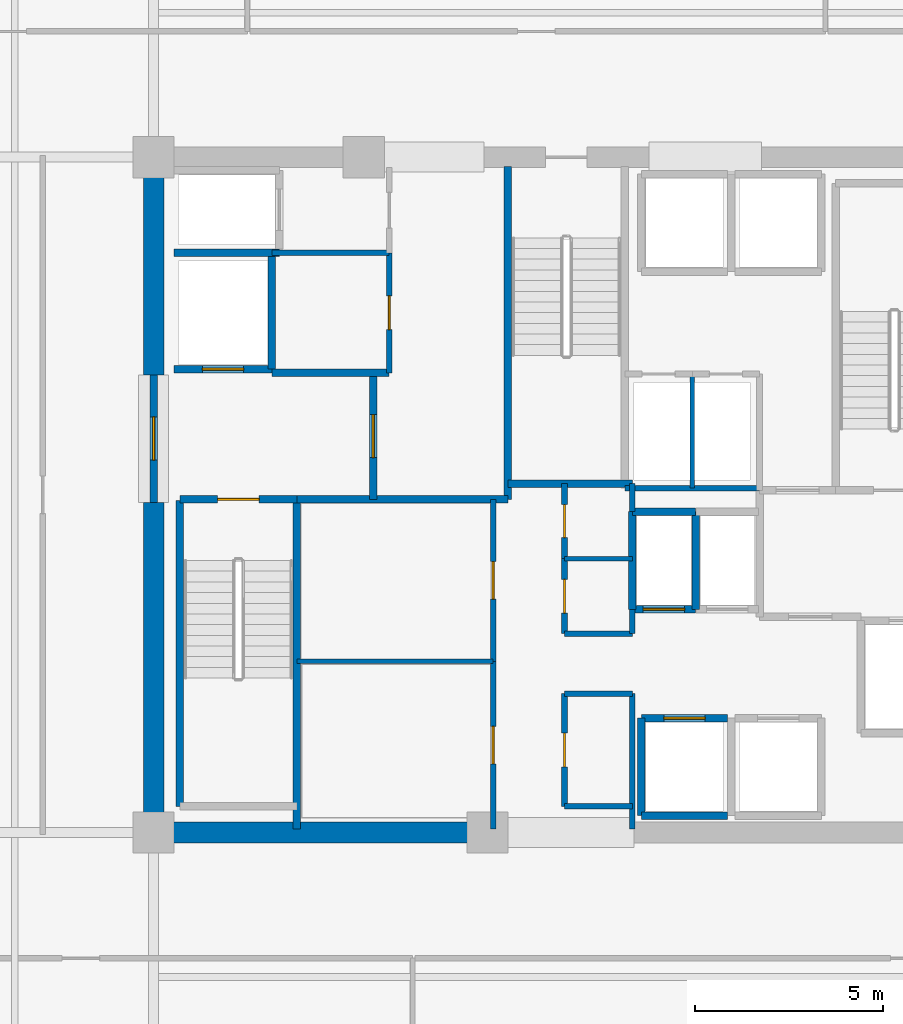
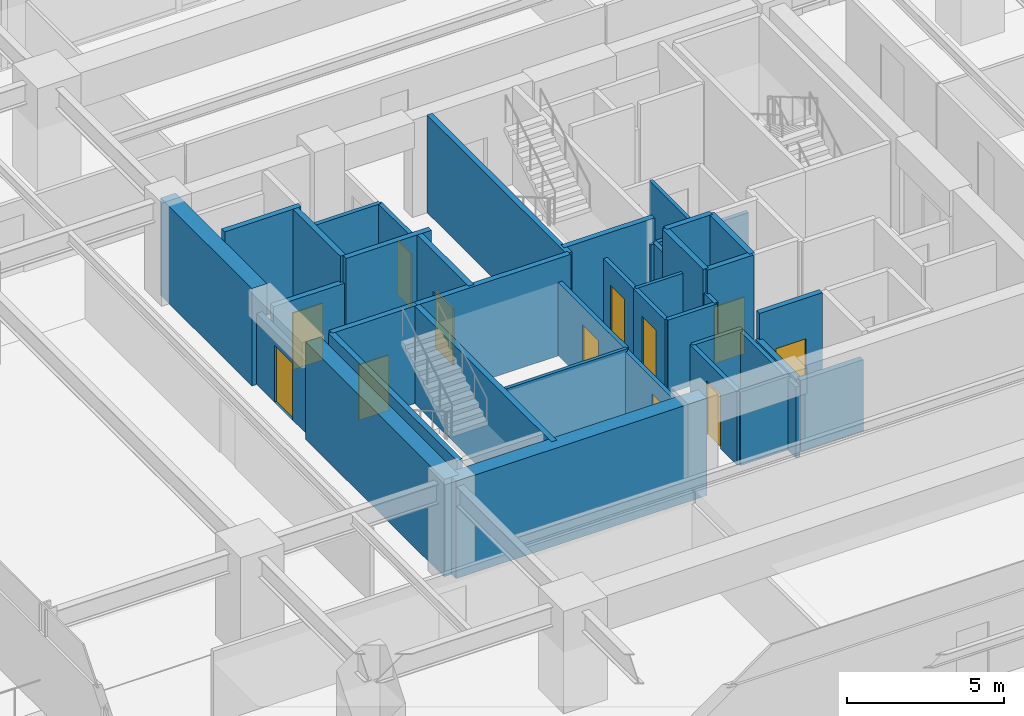
# One storey, part 16 of 24: 39 walls, 12 doors, 12 openings.
"""IFC4 building model written with IfcOpenShell, lengths in metres."""

import ifcopenshell
import ifcopenshell.guid

model = None  # the IFC model being written
_history = None  # IfcOwnerHistory: only IFC2X3 demands one
_inside = {}  # id of a spatial element -> (the spatial element, [elements in it])
_under = {}  # id of a project, library or spatial element -> (it, [spatial elements below it])
_declared = {}  # id of a project -> (the project, [libraries it declares])
_typed = {}  # id of a type object -> (the type object, [elements of that type])
_made_of = {}  # id of a material, layer set ... -> (it, [elements and type objects made of it])


def new_model(schema):
    """Start an empty IFC model of exactly this schema.

    Asked for "IFC4X3", IfcOpenShell would pick the latest addendum, in which some entities
    have other attributes; the version numbers below select the first issue.
    IFC2X3 requires an IfcOwnerHistory on every rooted entity: one is made here for all.
    """
    global model, _history
    if schema == "IFC4X3":
        model = ifcopenshell.file(schema_version=(4, 3, 0, 0))
    else:
        model = ifcopenshell.file(schema=schema)
    _inside.clear()
    _under.clear()
    _declared.clear()
    _typed.clear()
    _made_of.clear()
    _history = None
    if model.schema == "IFC2X3":
        org = make("IfcOrganization", Name="unknown")
        user = make(
            "IfcPersonAndOrganization",
            ThePerson=make("IfcPerson", FamilyName="unknown"),
            TheOrganization=org,
        )
        app = make(
            "IfcApplication",
            ApplicationDeveloper=org,
            Version="unknown",
            ApplicationFullName="unknown",
            ApplicationIdentifier="unknown",
        )
        _history = make(
            "IfcOwnerHistory",
            OwningUser=user,
            OwningApplication=app,
            ChangeAction="ADDED",
            CreationDate=0,
        )
    return model


def make(cls, **values):
    """One entity of the class cls with the attributes given. An attribute that is None is left unset."""
    return model.create_entity(
        cls, **{name: value for name, value in values.items() if value is not None}
    )


def rooted(cls, **values):
    """An entity with a GlobalId (a new one), such as an element, a storey or a relation."""
    return make(cls, GlobalId=ifcopenshell.guid.new(), OwnerHistory=_history, **values)


def si_unit(unit_type, name, prefix=None):
    """IfcSIUnit, for example si_unit("LENGTHUNIT", "METRE", prefix="MILLI")."""
    return make("IfcSIUnit", UnitType=unit_type, Prefix=prefix, Name=name)


def assignment(units):
    """IfcUnitAssignment: the units of a project."""
    return None if units is None else make("IfcUnitAssignment", Units=units)


def point(xyz):
    """IfcCartesianPoint."""
    return None if xyz is None else make("IfcCartesianPoint", Coordinates=xyz)


def direction(xyz):
    """IfcDirection."""
    return None if xyz is None else make("IfcDirection", DirectionRatios=xyz)


def frame(location, z_axis=None, x_axis=None):
    """IfcAxis2Placement3D, a coordinate frame: its origin and axes. An axis left out is left unset."""
    return make(
        "IfcAxis2Placement3D",
        Location=point(location),
        Axis=direction(z_axis),
        RefDirection=direction(x_axis),
    )


def frame_2d(location, x_axis=None):
    """IfcAxis2Placement2D, a coordinate frame in the plane: its origin and x axis."""
    return make(
        "IfcAxis2Placement2D", Location=point(location), RefDirection=direction(x_axis)
    )


def origin():
    """The frame at (0, 0, 0) with its axes left unset."""
    return frame((0.0, 0.0, 0.0))


def place(relative_to, where):
    """IfcLocalPlacement: puts the frame where relative to a parent placement (None: the world)."""
    return make(
        "IfcLocalPlacement", PlacementRelTo=relative_to, RelativePlacement=where
    )


def context(
    kind, dimensions, precision=None, world=None, true_north=None, identifier=None
):
    """IfcGeometricRepresentationContext, for example the 3D "Model" context."""
    return make(
        "IfcGeometricRepresentationContext",
        ContextIdentifier=identifier,
        ContextType=kind,
        CoordinateSpaceDimension=dimensions,
        Precision=precision,
        WorldCoordinateSystem=world,
        TrueNorth=true_north,
    )


def subcontext(parent, identifier, kind, view, scale=None):
    """IfcGeometricRepresentationSubContext, for example "Body" below "Model"."""
    return make(
        "IfcGeometricRepresentationSubContext",
        ContextIdentifier=identifier,
        ContextType=kind,
        ParentContext=parent,
        TargetScale=scale,
        TargetView=view,
    )


def project(units=None, contexts=None):
    """IfcProject with its units and contexts."""
    return rooted(
        "IfcProject",
        Name="project",
        RepresentationContexts=contexts,
        UnitsInContext=assignment(units),
    )


def spatial(cls, under=None, at=None, **own):
    """A site, building, storey or space (cls), placed at a placement, below another one or the project."""
    s = rooted(cls, ObjectPlacement=at, **own)
    if under is not None:
        _under.setdefault(under.id(), (under, []))[1].append(s)
    return s


def profile(cls, at=None, kind="AREA", **sizes):
    """A parametric profile (cls). Its sizes go by their IFC names, for example OverallWidth=200.0."""
    return make(cls, ProfileType=kind, Position=at, **sizes)


def rectangle(**sizes):
    """IfcRectangleProfileDef."""
    return profile("IfcRectangleProfileDef", **sizes)


def extrude(swept, where, along, depth):
    """IfcExtrudedAreaSolid: the profile swept, set in the frame where, extruded along a direction by depth."""
    return make(
        "IfcExtrudedAreaSolid",
        SweptArea=swept,
        Position=where,
        ExtrudedDirection=direction(along),
        Depth=depth,
    )


def shape(context_of_items, identifier, shape_type, items):
    """IfcShapeRepresentation: the items that make up one representation, for example the "Body"."""
    return make(
        "IfcShapeRepresentation",
        ContextOfItems=context_of_items,
        RepresentationIdentifier=identifier,
        RepresentationType=shape_type,
        Items=items,
    )


def material(Name=None, Category=None):
    """IfcMaterial."""
    return make("IfcMaterial", Name=Name, Category=Category)


def layer(
    of_material, thickness, ventilated=None, Name=None, Category=None, Priority=None
):
    """IfcMaterialLayer: one layer of a wall or slab, of a material (None: an air gap)."""
    return make(
        "IfcMaterialLayer",
        Material=of_material,
        LayerThickness=thickness,
        IsVentilated=ventilated,
        Name=Name,
        Category=Category,
        Priority=Priority,
    )


def layer_set(layers, Name=None):
    """IfcMaterialLayerSet."""
    return make("IfcMaterialLayerSet", MaterialLayers=layers, LayerSetName=Name)


def made_of(thing, what):
    """Note that an element or type object is made of a material, layer set ...; save() writes the relation."""
    if what is not None:
        _made_of.setdefault(what.id(), (what, []))[1].append(thing)
    return thing


def type_object(cls, material=None, **own):
    """A type object (cls), such as IfcWallType, which elements share."""
    return made_of(rooted(cls, **own), material)


def element(
    cls,
    number,
    at=None,
    inside=None,
    cuts=None,
    type_object=None,
    material=None,
    context=None,
    identifier="Body",
    shape_type=None,
    held_by="IfcProductDefinitionShape",
    body=None,
    shapes=None,
    **own,
):
    """One element of the class cls, such as IfcWall. Its Tag is "e" and its number.

    at: its placement. inside: the storey or other place that contains it. cuts: it is an
    opening in that element (IfcRelVoidsElement). A single representation is given by context,
    identifier, shape_type and body (its items); several are given by shapes. held_by: the class
    of the entity that holds the representations. save() writes the other relations.
    """
    e = rooted(cls, Tag="e%d" % number, ObjectPlacement=at, **own)
    if body is not None:
        shapes = [shape(context, identifier, shape_type, body)]
    if shapes is not None:
        e.Representation = make(held_by, Representations=shapes)
    if inside is not None:
        _inside.setdefault(inside.id(), (inside, []))[1].append(e)
    if cuts is not None:
        rooted(
            "IfcRelVoidsElement", RelatingBuildingElement=cuts, RelatedOpeningElement=e
        )
    if type_object is not None:
        _typed.setdefault(type_object.id(), (type_object, []))[1].append(e)
    return made_of(e, material)


def fill(opening, filler):
    """IfcRelFillsElement: the door or window that sits in an opening."""
    return rooted(
        "IfcRelFillsElement",
        RelatingOpeningElement=opening,
        RelatedBuildingElement=filler,
    )


def aggregate(whole, parts):
    """IfcRelAggregates: a whole, such as a stair, and the parts it consists of."""
    return rooted("IfcRelAggregates", RelatingObject=whole, RelatedObjects=parts)


def save(model, path):
    """Write the relations noted so far, then the file.

    IfcRelAggregates (storeys below a building ...), IfcRelContainedInSpatialStructure (elements
    in a storey), IfcRelDefinesByType, IfcRelAssociatesMaterial and IfcRelDeclares: one each for
    every whole, place, type object, material and project.
    """
    for whole, parts in _under.values():
        aggregate(whole, parts)
    for where, things in _inside.values():
        rooted(
            "IfcRelContainedInSpatialStructure",
            RelatedElements=things,
            RelatingStructure=where,
        )
    for kind, things in _typed.values():
        rooted("IfcRelDefinesByType", RelatedObjects=things, RelatingType=kind)
    for what, things in _made_of.values():
        rooted("IfcRelAssociatesMaterial", RelatedObjects=things, RelatingMaterial=what)
    for by, libraries in _declared.values():
        rooted("IfcRelDeclares", RelatingContext=by, RelatedDefinitions=libraries)
    model.write(path)


model = new_model("IFC4")

# Units and contexts
model_context = context("Model", 3, precision=1e-05, world=origin(), true_north=direction((0.0, 1.0)))
body_context = subcontext(model_context, "Body", "Model", "MODEL_VIEW")
ifc_project = project(units=[si_unit("LENGTHUNIT", "METRE"), si_unit("AREAUNIT", "SQUARE_METRE"), si_unit("VOLUMEUNIT", "CUBIC_METRE"), si_unit("PLANEANGLEUNIT", "RADIAN"), si_unit("MASSUNIT", "GRAM", prefix="KILO")], contexts=[model_context])

# Site, building, storey
site_placement = place(None, origin())
site = spatial("IfcSite", under=ifc_project, at=site_placement, CompositionType="ELEMENT")
building_placement = place(site_placement, origin())
building = spatial("IfcBuilding", under=site, at=building_placement, Name="Kovane Verandah Tower", CompositionType="ELEMENT")
storey_placement = place(building_placement, frame((0.0, 0.0, 144.39990234375)))
storey = spatial("IfcBuildingStorey", under=building, at=storey_placement, Name="L33", CompositionType="ELEMENT", Elevation=144.39990234375)

# Walls
ifc_material_1 = material(Name="Fire-Rated Gypsum Stud Partition", Category="gypsum")
ifc_layer_1 = layer(ifc_material_1, 0.14990234375)
ifc_layer_set_1 = layer_set([ifc_layer_1], Name="Fire-Rated Gypsum Stud Partition")
wall_type_1 = type_object("IfcWallType", Name="WL-COR-150", PredefinedType="PARTITIONING", material=ifc_layer_set_1)
for number, where, z_axis, x_axis, name in (
    (1, (39.949951171875, 19.199951171875, 0.0), (0.0, 0.0, 1.0), (1.0, 0.0, 0.0), "L33 Central Core Strip South Wall"),
    (2, (39.949951171875, 22.199951171875, 0.0), (0.0, 0.0, 1.0), (1.0, 0.0, 0.0), "L33 Core Cross-Passage South Wall"),
    (3, (39.949951171875, 23.800048828125, 0.0), (0.0, 0.0, 1.0), (1.0, 0.0, 0.0), "L33 Core Cross-Passage North Wall"),
):
    element("IfcWall", number, at=place(storey_placement, frame(where, z_axis=z_axis, x_axis=x_axis)), inside=storey, type_object=wall_type_1, Name=name, PredefinedType="PARTITIONING", context=body_context, shape_type="SweptSolid", body=[
        extrude(rectangle(XDim=1.81005859375, YDim=0.14990234375, at=frame_2d((0.905029296875, 0.0))), origin(), (0.0, 0.0, 1.0), 2.85009765625),
    ])
wall_1_placement = place(storey_placement, frame((41.760009765625, 18.60009765625, 0.0), z_axis=(0.0, 0.0, 1.0), x_axis=(0.0, 1.0, 0.0)))
element("IfcWall", 4, at=wall_1_placement, inside=storey, type_object=wall_type_1, Name="L33 Central Core Strip Lower East Wall", PredefinedType="PARTITIONING", context=body_context, shape_type="SweptSolid", body=[
    extrude(rectangle(XDim=3.599853515625, YDim=0.14990234375, at=frame_2d((1.7998046875, 0.0))), origin(), (0.0, 0.0, 1.0), 2.755126953125),
])
wall_2_placement = place(storey_placement, frame((41.760009765625, 23.800048828125, 0.0), z_axis=(0.0, 0.0, 1.0), x_axis=(0.0, 1.0, 0.0)))
element("IfcWall", 5, at=wall_2_placement, inside=storey, type_object=wall_type_1, Name="L33 Central Core Strip Middle East Wall", PredefinedType="PARTITIONING", context=body_context, shape_type="SweptSolid", body=[
    extrude(rectangle(XDim=0.64990234375, YDim=0.14990234375, at=frame_2d((0.324951171875, 0.0))), origin(), (0.0, 0.0, 1.0), 2.85009765625),
])
wall_3_placement = place(storey_placement, frame((41.760009765625, 27.050048828125, 0.0), z_axis=(0.0, 0.0, 1.0), x_axis=(0.0, 1.0, 0.0)))
element("IfcWall", 6, at=wall_3_placement, inside=storey, type_object=wall_type_1, Name="L33 Central Core Strip Upper East Wall", PredefinedType="PARTITIONING", context=body_context, shape_type="SweptSolid", body=[
    extrude(rectangle(XDim=0.75, YDim=0.14990234375, at=frame_2d((0.375, 0.0))), origin(), (0.0, 0.0, 1.0), 2.85009765625),
])

# Wall, opening, door
wall_4_placement = place(storey_placement, frame((39.949951171875, 19.199951171875, 0.0), z_axis=(0.0, 0.0, 1.0), x_axis=(0.0, 1.0, 0.0)))
wall_4 = element("IfcWall", 7, at=wall_4_placement, inside=storey, type_object=wall_type_1, Name="L33 Male Toilet Partition", PredefinedType="PARTITIONING", context=body_context, shape_type="SweptSolid", body=[
    extrude(rectangle(XDim=3.0, YDim=0.14990234375, at=frame_2d((1.5, 0.0))), origin(), (0.0, 0.0, 1.0), 2.85009765625),
])
opening_1_placement = place(wall_4_placement, frame((1.050048828125, 0.0, 0.0)))
opening_1 = element("IfcOpeningElement", 8, at=opening_1_placement, cuts=wall_4, Name="Opening DR-L33-027", PredefinedType="OPENING", context=body_context, shape_type="SweptSolid", body=[
    extrude(rectangle(XDim=0.89990234375, YDim=2.10009765625, at=frame_2d((0.449951171875, 1.050048828125))), frame((0.0, 0.074951171875, 0.0), z_axis=(0.0, -1.0, 0.0), x_axis=(1.0, 0.0, 0.0)), (0.0, 0.0, 1.0), 0.14990234375),
])
ifc_material_2 = material(Name="Moisture-Resistant Laminate Washroom Door", Category="wood")
door_type_1 = type_object("IfcDoorType", Name="DR-WC-900", OperationType="SINGLE_SWING_LEFT", PredefinedType="DOOR", material=ifc_material_2)
door_1_placement = place(opening_1_placement, origin())
door_1 = element("IfcDoor", 9, at=door_1_placement, inside=storey, type_object=door_type_1, Name="L33 Male Toilet Door", OperationType="SINGLE_SWING_LEFT", OverallHeight=2.10009765625, OverallWidth=0.89990234375, PredefinedType="DOOR", context=body_context, shape_type="SweptSolid", body=[
    extrude(rectangle(XDim=0.89990234375, YDim=2.10009765625, at=frame_2d((0.449951171875, 1.050048828125))), frame((0.0, 0.02490234375, 0.0), z_axis=(0.0, -1.0, 0.0), x_axis=(1.0, 0.0, 0.0)), (0.0, 0.0, 1.0), 0.050048828125),
])
fill(opening_1, door_1)

wall_5_placement = place(storey_placement, frame((39.949951171875, 23.800048828125, 0.0), z_axis=(0.0, 0.0, 1.0), x_axis=(0.0, 1.0, 0.0)))
wall_5 = element("IfcWall", 10, at=wall_5_placement, inside=storey, type_object=wall_type_1, Name="L33 Female Toilet Partition", PredefinedType="PARTITIONING", context=body_context, shape_type="SweptSolid", body=[
    extrude(rectangle(XDim=2.0, YDim=0.14990234375, at=frame_2d((1.0, 0.0))), origin(), (0.0, 0.0, 1.0), 2.85009765625),
])
opening_2_placement = place(wall_5_placement, frame((0.550048828125, 0.0, 0.0)))
opening_2 = element("IfcOpeningElement", 11, at=opening_2_placement, cuts=wall_5, Name="Opening DR-L33-026", PredefinedType="OPENING", context=body_context, shape_type="SweptSolid", body=[
    extrude(rectangle(XDim=0.89990234375, YDim=2.10009765625, at=frame_2d((0.449951171875, 1.050048828125))), frame((0.0, 0.074951171875, 0.0), z_axis=(0.0, -1.0, 0.0), x_axis=(1.0, 0.0, 0.0)), (0.0, 0.0, 1.0), 0.14990234375),
])
door_2_placement = place(opening_2_placement, origin())
door_2 = element("IfcDoor", 12, at=door_2_placement, inside=storey, type_object=door_type_1, Name="L33 Female Toilet Door", OperationType="SINGLE_SWING_RIGHT", OverallHeight=2.10009765625, OverallWidth=0.89990234375, PredefinedType="DOOR", context=body_context, shape_type="SweptSolid", body=[
    extrude(rectangle(XDim=0.89990234375, YDim=2.10009765625, at=frame_2d((0.449951171875, 1.050048828125))), frame((0.0, 0.02490234375, 0.0), z_axis=(0.0, -1.0, 0.0), x_axis=(1.0, 0.0, 0.0)), (0.0, 0.0, 1.0), 0.050048828125),
])
fill(opening_2, door_2)

wall_6_placement = place(storey_placement, frame((39.949951171875, 25.800048828125, 0.0), z_axis=(0.0, 0.0, 1.0), x_axis=(0.0, 1.0, 0.0)))
wall_6 = element("IfcWall", 13, at=wall_6_placement, inside=storey, type_object=wall_type_1, Name="L33 Electrical Riser Room Partition", PredefinedType="PARTITIONING", context=body_context, shape_type="SweptSolid", body=[
    extrude(rectangle(XDim=2.0, YDim=0.14990234375, at=frame_2d((1.0, 0.0))), origin(), (0.0, 0.0, 1.0), 2.85009765625),
])
opening_3_placement = place(wall_6_placement, frame((0.56005859375, 0.0, 0.0)))
opening_3 = element("IfcOpeningElement", 14, at=opening_3_placement, cuts=wall_6, Name="Opening DR-L33-024", PredefinedType="OPENING", context=body_context, shape_type="SweptSolid", body=[
    extrude(rectangle(XDim=0.8798828125, YDim=2.10009765625, at=frame_2d((0.43994140625, 1.050048828125))), frame((0.0, 0.074951171875, 0.0), z_axis=(0.0, -1.0, 0.0), x_axis=(1.0, 0.0, 0.0)), (0.0, 0.0, 1.0), 0.14990234375),
])
ifc_material_3 = material(Name="Fire-Rated Steel Riser Access Door", Category="steel")
door_type_2 = type_object("IfcDoorType", Name="DR-RISER-880", OperationType="SINGLE_SWING_LEFT", PredefinedType="DOOR", material=ifc_material_3)
door_3_placement = place(opening_3_placement, origin())
door_3 = element("IfcDoor", 15, at=door_3_placement, inside=storey, type_object=door_type_2, Name="L33 Electrical Riser Room Door", OperationType="SINGLE_SWING_LEFT", OverallHeight=2.10009765625, OverallWidth=0.8798828125, PredefinedType="DOOR", context=body_context, shape_type="SweptSolid", body=[
    extrude(rectangle(XDim=0.8798828125, YDim=2.10009765625, at=frame_2d((0.43994140625, 1.050048828125))), frame((0.0, 0.02490234375, 0.0), z_axis=(0.0, -1.0, 0.0), x_axis=(1.0, 0.0, 0.0)), (0.0, 0.0, 1.0), 0.050048828125),
])
fill(opening_3, door_3)

# Wall
wall_7_placement = place(storey_placement, frame((32.14990234375, 33.949951171875, 0.0), z_axis=(0.0, 0.0, 1.0), x_axis=(1.0, 0.0, 0.0)))
element("IfcWall", 16, at=wall_7_placement, inside=storey, type_object=wall_type_1, Name="L33 Goods Lift Lobby South Wall", PredefinedType="PARTITIONING", context=body_context, shape_type="SweptSolid", body=[
    extrude(rectangle(XDim=3.130126953125, YDim=0.14990234375, at=frame_2d((1.56494140625, 0.0))), origin(), (0.0, 0.0, 1.0), 2.85009765625),
])

# Wall, opening, door
wall_8_placement = place(storey_placement, frame((35.280029296875, 30.75, 0.0), z_axis=(0.0, 0.0, 1.0), x_axis=(0.0, 1.0, 0.0)))
wall_8 = element("IfcWall", 17, at=wall_8_placement, inside=storey, type_object=wall_type_1, Name="L33 Accessible Unisex Toilet Partition", PredefinedType="PARTITIONING", context=body_context, shape_type="SweptSolid", body=[
    extrude(rectangle(XDim=3.199951171875, YDim=0.14990234375, at=frame_2d((1.60009765625, 0.0))), origin(), (0.0, 0.0, 1.0), 2.85009765625),
])
opening_4_placement = place(wall_8_placement, frame((1.14990234375, 0.0, 0.0)))
opening_4 = element("IfcOpeningElement", 18, at=opening_4_placement, cuts=wall_8, Name="Opening DR-L33-025", PredefinedType="OPENING", context=body_context, shape_type="SweptSolid", body=[
    extrude(rectangle(XDim=0.89990234375, YDim=2.10009765625, at=frame_2d((0.449951171875, 1.050048828125))), frame((0.0, 0.074951171875, 0.0), z_axis=(0.0, -1.0, 0.0), x_axis=(1.0, 0.0, 0.0)), (0.0, 0.0, 1.0), 0.14990234375),
])
door_4_placement = place(opening_4_placement, origin())
door_4 = element("IfcDoor", 19, at=door_4_placement, inside=storey, type_object=door_type_1, Name="L33 Accessible Unisex Toilet Door", OperationType="SINGLE_SWING_LEFT", OverallHeight=2.10009765625, OverallWidth=0.89990234375, PredefinedType="DOOR", context=body_context, shape_type="SweptSolid", body=[
    extrude(rectangle(XDim=0.89990234375, YDim=2.10009765625, at=frame_2d((0.449951171875, 1.050048828125))), frame((0.0, 0.02490234375, 0.0), z_axis=(0.0, -1.0, 0.0), x_axis=(1.0, 0.0, 0.0)), (0.0, 0.0, 1.0), 0.050048828125),
])
fill(opening_4, door_4)

wall_9_placement = place(storey_placement, frame((38.050048828125, 18.60009765625, 0.0), z_axis=(0.0, 0.0, 1.0), x_axis=(0.0, 1.0, 0.0)))
wall_9 = element("IfcWall", 20, at=wall_9_placement, inside=storey, type_object=wall_type_1, Name="L33 IT Server Room Partition", PredefinedType="PARTITIONING", context=body_context, shape_type="SweptSolid", body=[
    extrude(rectangle(XDim=4.4599609375, YDim=0.14990234375, at=frame_2d((2.22998046875, 0.0))), origin(), (0.0, 0.0, 1.0), 2.755126953125),
])
opening_5_placement = place(wall_9_placement, frame((1.72998046875, 0.0, 0.0)))
opening_5 = element("IfcOpeningElement", 21, at=opening_5_placement, cuts=wall_9, Name="Opening DR-L33-015", PredefinedType="OPENING", context=body_context, shape_type="SweptSolid", body=[
    extrude(rectangle(XDim=1.0, YDim=2.14990234375, at=frame_2d((0.5, 1.074951171875))), frame((0.0, 0.074951171875, 0.0), z_axis=(0.0, -1.0, 0.0), x_axis=(1.0, 0.0, 0.0)), (0.0, 0.0, 1.0), 0.14990234375),
])
ifc_material_4 = material(Name="FSC Spotted-Gum Timber Fire-Rated Office Door", Category="wood")
door_type_3 = type_object("IfcDoorType", Name="DR-OFF-1000", OperationType="SINGLE_SWING_LEFT", PredefinedType="DOOR", material=ifc_material_4)
door_5_placement = place(opening_5_placement, origin())
door_5 = element("IfcDoor", 22, at=door_5_placement, inside=storey, type_object=door_type_3, Name="L33 IT Server Room Door", OperationType="SINGLE_SWING_RIGHT", OverallHeight=2.14990234375, OverallWidth=1.0, PredefinedType="DOOR", context=body_context, shape_type="SweptSolid", body=[
    extrude(rectangle(XDim=1.0, YDim=2.14990234375, at=frame_2d((0.5, 1.074951171875))), frame((0.0, 0.02490234375, 0.0), z_axis=(0.0, -1.0, 0.0), x_axis=(1.0, 0.0, 0.0)), (0.0, 0.0, 1.0), 0.050048828125),
])
fill(opening_5, door_5)

wall_10_placement = place(storey_placement, frame((38.050048828125, 23.06005859375, 0.0), z_axis=(0.0, 0.0, 1.0), x_axis=(0.0, 1.0, 0.0)))
wall_10 = element("IfcWall", 23, at=wall_10_placement, inside=storey, type_object=wall_type_1, Name="L33 Telecom MDF Room Partition", PredefinedType="PARTITIONING", context=body_context, shape_type="SweptSolid", body=[
    extrude(rectangle(XDim=4.31982421875, YDim=0.14990234375, at=frame_2d((2.159912109375, 0.0))), origin(), (0.0, 0.0, 1.0), 2.85009765625),
])
opening_6_placement = place(wall_10_placement, frame((1.659912109375, 0.0, 0.0)))
opening_6 = element("IfcOpeningElement", 24, at=opening_6_placement, cuts=wall_10, Name="Opening DR-L33-016", PredefinedType="OPENING", context=body_context, shape_type="SweptSolid", body=[
    extrude(rectangle(XDim=1.0, YDim=2.14990234375, at=frame_2d((0.5, 1.074951171875))), frame((0.0, 0.074951171875, 0.0), z_axis=(0.0, -1.0, 0.0), x_axis=(1.0, 0.0, 0.0)), (0.0, 0.0, 1.0), 0.14990234375),
])
door_6_placement = place(opening_6_placement, origin())
door_6 = element("IfcDoor", 25, at=door_6_placement, inside=storey, type_object=door_type_3, Name="L33 Telecom MDF Room Door", OperationType="SINGLE_SWING_LEFT", OverallHeight=2.14990234375, OverallWidth=1.0, PredefinedType="DOOR", context=body_context, shape_type="SweptSolid", body=[
    extrude(rectangle(XDim=1.0, YDim=2.14990234375, at=frame_2d((0.5, 1.074951171875))), frame((0.0, 0.02490234375, 0.0), z_axis=(0.0, -1.0, 0.0), x_axis=(1.0, 0.0, 0.0)), (0.0, 0.0, 1.0), 0.050048828125),
])
fill(opening_6, door_6)

# Walls
wall_11_placement = place(storey_placement, frame((41.56005859375, 27.679931640625, 0.0), z_axis=(0.0, 0.0, 1.0), x_axis=(1.0, 0.0, 0.0)))
element("IfcWall", 26, at=wall_11_placement, inside=storey, type_object=wall_type_1, Name="L33 East Core Service Riser South Wall", PredefinedType="PARTITIONING", context=body_context, shape_type="SweptSolid", body=[
    extrude(rectangle(XDim=3.58984375, YDim=0.14990234375, at=frame_2d((1.794921875, 0.0))), origin(), (0.0, 0.0, 1.0), 2.85009765625),
])
ifc_material_5 = material(Name="Concrete C60/75", Category="concrete")
ifc_layer_2 = layer(ifc_material_5, 0.550048828125)
ifc_layer_set_2 = layer_set([ifc_layer_2], Name="Concrete C60/75")
wall_type_2 = type_object("IfcWallType", Name="WL-CORE-550", PredefinedType="SHEAR", material=ifc_layer_set_2)
wall_12_placement = place(storey_placement, frame((29.0, 18.5, 0.0), z_axis=(0.0, 0.0, 1.0), x_axis=(1.0, 0.0, 0.0)))
element("IfcWall", 27, at=wall_12_placement, inside=storey, type_object=wall_type_2, Name="L33 Core Shear Wall CS-1", PredefinedType="SHEAR", context=body_context, shape_type="SweptSolid", body=[
    extrude(rectangle(XDim=9.199951171875, YDim=0.550048828125, at=frame_2d((4.60009765625, 0.0))), origin(), (0.0, 0.0, 1.0), 3.775146484375),
])
wall_13_placement = place(storey_placement, frame((29.0, 18.5, 0.0), z_axis=(0.0, 0.0, 1.0), x_axis=(0.0, 1.0, 0.0)))
element("IfcWall", 28, at=wall_13_placement, inside=storey, type_object=wall_type_2, Name="L33 Core Shear Wall CW-1", PredefinedType="SHEAR", context=body_context, shape_type="SweptSolid", body=[
    extrude(rectangle(XDim=8.800048828125, YDim=0.550048828125, at=frame_2d((4.39990234375, 0.0))), origin(), (0.0, 0.0, 1.0), 3.775146484375),
])
wall_14_placement = place(storey_placement, frame((29.0, 30.699951171875, 0.0), z_axis=(0.0, 0.0, 1.0), x_axis=(0.0, 1.0, 0.0)))
element("IfcWall", 29, at=wall_14_placement, inside=storey, type_object=wall_type_2, Name="L33 Core Shear Wall CW-2", PredefinedType="SHEAR", context=body_context, shape_type="SweptSolid", body=[
    extrude(rectangle(XDim=5.800048828125, YDim=0.550048828125, at=frame_2d((2.89990234375, 0.0))), origin(), (0.0, 0.0, 1.0), 3.775146484375),
])

# Wall, opening, door
ifc_material_6 = material(Name="Concrete C45/55 Fire Wall", Category="concrete")
ifc_layer_3 = layer(ifc_material_6, 0.199951171875)
ifc_layer_set_3 = layer_set([ifc_layer_3], Name="Concrete C45/55 Fire Wall")
wall_type_3 = type_object("IfcWallType", Name="WL-FFL-200", PredefinedType="PARTITIONING", material=ifc_layer_set_3)
wall_15_placement = place(storey_placement, frame((34.85009765625, 27.3798828125, 0.0), z_axis=(0.0, 0.0, 1.0), x_axis=(0.0, 1.0, 0.0)))
wall_15 = element("IfcWall", 30, at=wall_15_placement, inside=storey, type_object=wall_type_3, Name="W-L33-FFLW-E", PredefinedType="PARTITIONING", context=body_context, shape_type="SweptSolid", body=[
    extrude(rectangle(XDim=3.3701171875, YDim=0.199951171875, at=frame_2d((1.68505859375, 0.0))), origin(), (0.0, 0.0, 1.0), 3.775146484375),
])
opening_7_placement = place(wall_15_placement, frame((1.110107421875, 0.0, 0.0)))
opening_7 = element("IfcOpeningElement", 31, at=opening_7_placement, cuts=wall_15, Name="Opening DR-L33-006", PredefinedType="OPENING", context=body_context, shape_type="SweptSolid", body=[
    extrude(rectangle(XDim=1.14990234375, YDim=2.199951171875, at=frame_2d((0.574951171875, 1.10009765625))), frame((0.0, 0.10009765625, 0.0), z_axis=(0.0, -1.0, 0.0), x_axis=(1.0, 0.0, 0.0)), (0.0, 0.0, 1.0), 0.199951171875),
])
ifc_material_7 = material(Name="Smoke-Sealed Firefighting Lobby Door", Category="steel")
door_type_4 = type_object("IfcDoorType", Name="DR-FFL-1150", OperationType="SINGLE_SWING_LEFT", PredefinedType="DOOR", material=ifc_material_7)
door_7_placement = place(opening_7_placement, origin())
door_7 = element("IfcDoor", 32, at=door_7_placement, inside=storey, type_object=door_type_4, Name="L33 West Firefighting Lobby Inner Door", OperationType="SINGLE_SWING_LEFT", OverallHeight=2.199951171875, OverallWidth=1.14990234375, PredefinedType="DOOR", context=body_context, shape_type="SweptSolid", body=[
    extrude(rectangle(XDim=1.14990234375, YDim=2.199951171875, at=frame_2d((0.574951171875, 1.10009765625))), frame((0.0, 0.02490234375, 0.0), z_axis=(0.0, -1.0, 0.0), x_axis=(1.0, 0.0, 0.0)), (0.0, 0.0, 1.0), 0.050048828125),
])
fill(opening_7, door_7)

wall_16_placement = place(storey_placement, frame((29.0, 27.300048828125, 0.0), z_axis=(0.0, 0.0, 1.0), x_axis=(0.0, 1.0, 0.0)))
wall_16 = element("IfcWall", 33, at=wall_16_placement, inside=storey, type_object=wall_type_3, Name="W-L33-FFLW-OUT", PredefinedType="PARTITIONING", context=body_context, shape_type="SweptSolid", body=[
    extrude(rectangle(XDim=3.39990234375, YDim=0.199951171875, at=frame_2d((1.699951171875, 0.0))), origin(), (0.0, 0.0, 1.0), 2.755126953125),
])
opening_8_placement = place(wall_16_placement, frame((1.125, 0.0, 0.0)))
opening_8 = element("IfcOpeningElement", 34, at=opening_8_placement, cuts=wall_16, Name="Opening DR-L33-007", PredefinedType="OPENING", context=body_context, shape_type="SweptSolid", body=[
    extrude(rectangle(XDim=1.14990234375, YDim=2.199951171875, at=frame_2d((0.574951171875, 1.10009765625))), frame((0.0, 0.10009765625, 0.0), z_axis=(0.0, -1.0, 0.0), x_axis=(1.0, 0.0, 0.0)), (0.0, 0.0, 1.0), 0.199951171875),
])
door_8_placement = place(opening_8_placement, origin())
door_8 = element("IfcDoor", 35, at=door_8_placement, inside=storey, type_object=door_type_4, Name="L33 West Firefighting Lobby Corridor Door", OperationType="SINGLE_SWING_RIGHT", OverallHeight=2.199951171875, OverallWidth=1.14990234375, PredefinedType="DOOR", context=body_context, shape_type="SweptSolid", body=[
    extrude(rectangle(XDim=1.14990234375, YDim=2.199951171875, at=frame_2d((0.574951171875, 1.10009765625))), frame((0.0, 0.02490234375, 0.0), z_axis=(0.0, -1.0, 0.0), x_axis=(1.0, 0.0, 0.0)), (0.0, 0.0, 1.0), 0.050048828125),
])
fill(opening_8, door_8)

# Walls
wall_17_placement = place(storey_placement, frame((32.820068359375, 27.3798828125, 0.0), z_axis=(0.0, 0.0, 1.0), x_axis=(1.0, 0.0, 0.0)))
element("IfcWall", 36, at=wall_17_placement, inside=storey, type_object=wall_type_3, Name="L33 West Firefighting Lobby South Fire Wall", PredefinedType="PARTITIONING", context=body_context, shape_type="SweptSolid", body=[
    extrude(rectangle(XDim=5.619873046875, YDim=0.199951171875, at=frame_2d((2.81005859375, 0.0))), origin(), (0.0, 0.0, 1.0), 3.775146484375),
])
wall_18_placement = place(storey_placement, frame((32.14990234375, 30.75, 0.0), z_axis=(0.0, 0.0, 1.0), x_axis=(1.0, 0.0, 0.0)))
element("IfcWall", 37, at=wall_18_placement, inside=storey, type_object=wall_type_3, Name="L33 West Firefighting Lobby North Fire Wall", PredefinedType="PARTITIONING", context=body_context, shape_type="SweptSolid", body=[
    extrude(rectangle(XDim=3.130126953125, YDim=0.199951171875, at=frame_2d((1.56494140625, 0.0))), origin(), (0.0, 0.0, 1.0), 3.775146484375),
])

# Wall, opening, door
ifc_material_8 = material(Name="Concrete C45/55 Lift Shaft Wall", Category="concrete")
ifc_layer_4 = layer(ifc_material_8, 0.199951171875)
ifc_layer_set_4 = layer_set([ifc_layer_4], Name="Concrete C45/55 Lift Shaft Wall")
wall_type_4 = type_object("IfcWallType", Name="WL-LIFT-200", PredefinedType="SOLIDWALL", material=ifc_layer_set_4)
wall_19_placement = place(storey_placement, frame((29.550048828125, 30.85009765625, 0.0), z_axis=(0.0, 0.0, 1.0), x_axis=(1.0, 0.0, 0.0)))
wall_19 = element("IfcWall", 38, at=wall_19_placement, inside=storey, type_object=wall_type_4, Name="L33 Lift FL-01 S Shaft Wall", PredefinedType="SOLIDWALL", context=body_context, shape_type="SweptSolid", body=[
    extrude(rectangle(XDim=2.599853515625, YDim=0.199951171875, at=frame_2d((1.2998046875, 0.0))), origin(), (0.0, 0.0, 1.0), 2.755126953125),
])
opening_9_placement = place(wall_19_placement, frame((0.75, 0.0, 0.0)))
opening_9 = element("IfcOpeningElement", 39, at=opening_9_placement, cuts=wall_19, Name="Opening LD-L33-001", PredefinedType="OPENING", context=body_context, shape_type="SweptSolid", body=[
    extrude(rectangle(XDim=1.10009765625, YDim=2.199951171875, at=frame_2d((0.550048828125, 1.10009765625))), frame((0.0, 0.10009765625, 0.0), z_axis=(0.0, -1.0, 0.0), x_axis=(1.0, 0.0, 0.0)), (0.0, 0.0, 1.0), 0.199951171875),
])
ifc_material_9 = material(Name="Brushed Stainless Steel Sliding Lift Landing Door", Category="steel")
door_type_5 = type_object("IfcDoorType", Name="DR-LIFT-1100", OperationType="SLIDING_TO_RIGHT", PredefinedType="DOOR", material=ifc_material_9)
door_9_placement = place(opening_9_placement, origin())
door_9 = element("IfcDoor", 40, at=door_9_placement, inside=storey, type_object=door_type_5, Name="L33 Lift FL-01 Sliding Landing Door", OperationType="SLIDING_TO_RIGHT", OverallHeight=2.199951171875, OverallWidth=1.10009765625, PredefinedType="DOOR", context=body_context, shape_type="SweptSolid", body=[
    extrude(rectangle(XDim=1.10009765625, YDim=2.199951171875, at=frame_2d((0.550048828125, 1.10009765625))), frame((0.0, 0.02490234375, 0.0), z_axis=(0.0, -1.0, 0.0), x_axis=(1.0, 0.0, 0.0)), (0.0, 0.0, 1.0), 0.050048828125),
])
fill(opening_9, door_9)

# Walls
wall_20_placement = place(storey_placement, frame((29.550048828125, 33.949951171875, 0.0), z_axis=(0.0, 0.0, 1.0), x_axis=(1.0, 0.0, 0.0)))
element("IfcWall", 41, at=wall_20_placement, inside=storey, type_object=wall_type_4, Name="L33 Lift FL-01 and GL-01 Shared Shaft Wall", PredefinedType="SOLIDWALL", context=body_context, shape_type="SweptSolid", body=[
    extrude(rectangle(XDim=2.800048828125, YDim=0.199951171875, at=frame_2d((1.39990234375, 0.0))), origin(), (0.0, 0.0, 1.0), 3.775146484375),
])
wall_21_placement = place(storey_placement, frame((32.14990234375, 30.85009765625, 0.0), z_axis=(0.0, 0.0, 1.0), x_axis=(0.0, 1.0, 0.0)))
element("IfcWall", 42, at=wall_21_placement, inside=storey, type_object=wall_type_4, Name="L33 Lift FL-01 E Shaft Wall", PredefinedType="SOLIDWALL", context=body_context, shape_type="SweptSolid", body=[
    extrude(rectangle(XDim=3.0, YDim=0.199951171875, at=frame_2d((1.5, 0.0))), origin(), (0.0, 0.0, 1.0), 3.775146484375),
])
wall_22_placement = place(storey_placement, frame((42.0, 18.949951171875, 0.0), z_axis=(0.0, 0.0, 1.0), x_axis=(1.0, 0.0, 0.0)))
element("IfcWall", 43, at=wall_22_placement, inside=storey, type_object=wall_type_4, Name="L33 Lift PL-M1 S Shaft Wall", PredefinedType="SOLIDWALL", context=body_context, shape_type="SweptSolid", body=[
    extrude(rectangle(XDim=2.300048828125, YDim=0.199951171875, at=frame_2d((1.14990234375, 0.0))), origin(), (0.0, 0.0, 1.0), 2.755126953125),
])

# Wall, opening, door
wall_23_placement = place(storey_placement, frame((44.300048828125, 21.550048828125, 0.0), z_axis=(0.0, 0.0, 1.0), x_axis=(-1.0, 0.0, 0.0)))
wall_23 = element("IfcWall", 44, at=wall_23_placement, inside=storey, type_object=wall_type_4, Name="L33 Lift PL-M1 N Shaft Wall", PredefinedType="SOLIDWALL", context=body_context, shape_type="SweptSolid", body=[
    extrude(rectangle(XDim=2.300048828125, YDim=0.199951171875, at=frame_2d((1.14990234375, 0.0))), origin(), (0.0, 0.0, 1.0), 3.775146484375),
])
opening_10_placement = place(wall_23_placement, frame((0.60009765625, 0.0, 0.0)))
opening_10 = element("IfcOpeningElement", 45, at=opening_10_placement, cuts=wall_23, Name="Opening LD-L33-004", PredefinedType="OPENING", context=body_context, shape_type="SweptSolid", body=[
    extrude(rectangle(XDim=1.10009765625, YDim=2.199951171875, at=frame_2d((0.550048828125, 1.10009765625))), frame((0.0, 0.10009765625, 0.0), z_axis=(0.0, -1.0, 0.0), x_axis=(1.0, 0.0, 0.0)), (0.0, 0.0, 1.0), 0.199951171875),
])
door_10_placement = place(opening_10_placement, origin())
door_10 = element("IfcDoor", 46, at=door_10_placement, inside=storey, type_object=door_type_5, Name="L33 Lift PL-M1 Sliding Landing Door", OperationType="SLIDING_TO_RIGHT", OverallHeight=2.199951171875, OverallWidth=1.10009765625, PredefinedType="DOOR", context=body_context, shape_type="SweptSolid", body=[
    extrude(rectangle(XDim=1.10009765625, YDim=2.199951171875, at=frame_2d((0.550048828125, 1.10009765625))), frame((0.0, 0.02490234375, 0.0), z_axis=(0.0, -1.0, 0.0), x_axis=(1.0, 0.0, 0.0)), (0.0, 0.0, 1.0), 0.050048828125),
])
fill(opening_10, door_10)

# Wall
wall_24_placement = place(storey_placement, frame((42.0, 21.550048828125, 0.0), z_axis=(0.0, 0.0, 1.0), x_axis=(0.0, -1.0, 0.0)))
element("IfcWall", 47, at=wall_24_placement, inside=storey, type_object=wall_type_4, Name="L33 Lift PL-M1 W Shaft Wall", PredefinedType="SOLIDWALL", context=body_context, shape_type="SweptSolid", body=[
    extrude(rectangle(XDim=2.60009765625, YDim=0.199951171875, at=frame_2d((1.300048828125, 0.0))), origin(), (0.0, 0.0, 1.0), 2.755126953125),
])

# Wall, opening, door
wall_25_placement = place(storey_placement, frame((41.760009765625, 24.449951171875, 0.0), z_axis=(0.0, 0.0, 1.0), x_axis=(1.0, 0.0, 0.0)))
wall_25 = element("IfcWall", 48, at=wall_25_placement, inside=storey, type_object=wall_type_4, Name="L33 Lift PL-M3 S Shaft Wall", PredefinedType="SOLIDWALL", context=body_context, shape_type="SweptSolid", body=[
    extrude(rectangle(XDim=1.679931640625, YDim=0.199951171875, at=frame_2d((0.83984375, 0.0))), origin(), (0.0, 0.0, 1.0), 3.775146484375),
])
opening_11_placement = place(wall_25_placement, frame((0.2900390625, 0.0, 0.0)))
opening_11 = element("IfcOpeningElement", 49, at=opening_11_placement, cuts=wall_25, Name="Opening LD-L33-006", PredefinedType="OPENING", context=body_context, shape_type="SweptSolid", body=[
    extrude(rectangle(XDim=1.10009765625, YDim=2.199951171875, at=frame_2d((0.550048828125, 1.10009765625))), frame((0.0, 0.10009765625, 0.0), z_axis=(0.0, -1.0, 0.0), x_axis=(1.0, 0.0, 0.0)), (0.0, 0.0, 1.0), 0.199951171875),
])
door_11_placement = place(opening_11_placement, origin())
door_11 = element("IfcDoor", 50, at=door_11_placement, inside=storey, type_object=door_type_5, Name="L33 Lift PL-M3 Sliding Landing Door", OperationType="SLIDING_TO_RIGHT", OverallHeight=2.199951171875, OverallWidth=1.10009765625, PredefinedType="DOOR", context=body_context, shape_type="SweptSolid", body=[
    extrude(rectangle(XDim=1.10009765625, YDim=2.199951171875, at=frame_2d((0.550048828125, 1.10009765625))), frame((0.0, 0.02490234375, 0.0), z_axis=(0.0, -1.0, 0.0), x_axis=(1.0, 0.0, 0.0)), (0.0, 0.0, 1.0), 0.050048828125),
])
fill(opening_11, door_11)

# Walls
wall_26_placement = place(storey_placement, frame((43.43994140625, 27.050048828125, 0.0), z_axis=(0.0, 0.0, 1.0), x_axis=(-1.0, 0.0, 0.0)))
element("IfcWall", 51, at=wall_26_placement, inside=storey, type_object=wall_type_4, Name="L33 Lift PL-M3 N Shaft Wall", PredefinedType="SOLIDWALL", context=body_context, shape_type="SweptSolid", body=[
    extrude(rectangle(XDim=1.679931640625, YDim=0.199951171875, at=frame_2d((0.83984375, 0.0))), origin(), (0.0, 0.0, 1.0), 3.775146484375),
])
for number, where, z_axis, x_axis, name in (
    (52, (41.760009765625, 27.050048828125, 0.0), (0.0, 0.0, 1.0), (0.0, -1.0, 0.0), "L33 Lift PL-M3 W Shaft Wall"),
    (53, (43.449951171875, 24.449951171875, 0.0), (0.0, 0.0, 1.0), (0.0, 1.0, 0.0), "L33 Lift PL-M3 and PL-M4 Shared Shaft Wall"),
):
    element("IfcWall", number, at=place(storey_placement, frame(where, z_axis=z_axis, x_axis=x_axis)), inside=storey, type_object=wall_type_4, Name=name, PredefinedType="SOLIDWALL", context=body_context, shape_type="SweptSolid", body=[
        extrude(rectangle(XDim=2.60009765625, YDim=0.199951171875, at=frame_2d((1.300048828125, 0.0))), origin(), (0.0, 0.0, 1.0), 3.775146484375),
    ])
ifc_material_10 = material(Name="Acoustic Fire-Rated Gypsum Partition", Category="gypsum")
ifc_layer_5 = layer(ifc_material_10, 0.1201171875)
ifc_layer_set_5 = layer_set([ifc_layer_5], Name="Acoustic Fire-Rated Gypsum Partition")
wall_type_5 = type_object("IfcWallType", Name="WL-PART-120", PredefinedType="PARTITIONING", material=ifc_layer_set_5)
wall_27_placement = place(storey_placement, frame((39.949951171875, 25.800048828125, 0.0), z_axis=(0.0, 0.0, 1.0), x_axis=(1.0, 0.0, 0.0)))
element("IfcWall", 54, at=wall_27_placement, inside=storey, type_object=wall_type_5, Name="L33 Central Core Strip Upper Dividing Partition", PredefinedType="PARTITIONING", context=body_context, shape_type="SweptSolid", body=[
    extrude(rectangle(XDim=1.81005859375, YDim=0.1201171875, at=frame_2d((0.905029296875, 0.0))), origin(), (0.0, 0.0, 1.0), 2.85009765625),
])
wall_28_placement = place(storey_placement, frame((32.820068359375, 23.06005859375, 0.0), z_axis=(0.0, 0.0, 1.0), x_axis=(1.0, 0.0, 0.0)))
element("IfcWall", 55, at=wall_28_placement, inside=storey, type_object=wall_type_5, Name="L33 Core Support Dividing Partition", PredefinedType="PARTITIONING", context=body_context, shape_type="SweptSolid", body=[
    extrude(rectangle(XDim=5.22998046875, YDim=0.1201171875, at=frame_2d((2.614990234375, 0.0))), origin(), (0.0, 0.0, 1.0), 2.85009765625),
])
wall_29_placement = place(storey_placement, frame((43.360107421875, 27.679931640625, 0.0), z_axis=(0.0, 0.0, 1.0), x_axis=(0.0, 1.0, 0.0)))
element("IfcWall", 56, at=wall_29_placement, inside=storey, type_object=wall_type_5, Name="L33 Service Riser Dividing Partition", PredefinedType="PARTITIONING", context=body_context, shape_type="SweptSolid", body=[
    extrude(rectangle(XDim=3.0400390625, YDim=0.1201171875, at=frame_2d((1.52001953125, 0.0))), origin(), (0.0, 0.0, 1.0), 2.85009765625),
])
ifc_material_11 = material(Name="Concrete C45/55", Category="concrete")
ifc_layer_6 = layer(ifc_material_11, 0.199951171875)
ifc_layer_set_6 = layer_set([ifc_layer_6], Name="Concrete C45/55")
wall_type_6 = type_object("IfcWallType", Name="WL-SHAFT-200", PredefinedType="SOLIDWALL", material=ifc_layer_set_6)
wall_30_placement = place(storey_placement, frame((29.699951171875, 19.199951171875, 0.0), z_axis=(0.0, 0.0, 1.0), x_axis=(0.0, 1.0, 0.0)))
element("IfcWall", 57, at=wall_30_placement, inside=storey, type_object=wall_type_6, Name="W-L33-ST01-W", PredefinedType="SOLIDWALL", context=body_context, shape_type="SweptSolid", body=[
    extrude(rectangle(XDim=8.150146484375, YDim=0.199951171875, at=frame_2d((4.0751953125, 0.0))), origin(), (0.0, 0.0, 1.0), 3.775146484375),
])
wall_31_placement = place(storey_placement, frame((32.820068359375, 18.60009765625, 0.0), z_axis=(0.0, 0.0, 1.0), x_axis=(0.0, 1.0, 0.0)))
element("IfcWall", 58, at=wall_31_placement, inside=storey, type_object=wall_type_6, Name="W-L33-ST01-E", PredefinedType="SOLIDWALL", context=body_context, shape_type="SweptSolid", body=[
    extrude(rectangle(XDim=8.77978515625, YDim=0.199951171875, at=frame_2d((4.389892578125, 0.0))), origin(), (0.0, 0.0, 1.0), 3.775146484375),
])

# Wall, opening, door
wall_32_placement = place(storey_placement, frame((29.699951171875, 27.3798828125, 0.0), z_axis=(0.0, 0.0, 1.0), x_axis=(1.0, 0.0, 0.0)))
wall_32 = element("IfcWall", 59, at=wall_32_placement, inside=storey, type_object=wall_type_6, Name="W-L33-ST01-N", PredefinedType="SOLIDWALL", context=body_context, shape_type="SweptSolid", body=[
    extrude(rectangle(XDim=3.1201171875, YDim=0.199951171875, at=frame_2d((1.56005859375, 0.0))), origin(), (0.0, 0.0, 1.0), 3.775146484375),
])
opening_12_placement = place(wall_32_placement, frame((1.010009765625, 0.0, 0.0)))
opening_12 = element("IfcOpeningElement", 60, at=opening_12_placement, cuts=wall_32, Name="Opening DR-L33-009", PredefinedType="OPENING", context=body_context, shape_type="SweptSolid", body=[
    extrude(rectangle(XDim=1.10009765625, YDim=2.14990234375, at=frame_2d((0.550048828125, 1.074951171875))), frame((0.0, 0.10009765625, 0.0), z_axis=(0.0, -1.0, 0.0), x_axis=(1.0, 0.0, 0.0)), (0.0, 0.0, 1.0), 0.199951171875),
])
ifc_material_12 = material(Name="Fire-Rated Steel Exit Door", Category="steel")
door_type_6 = type_object("IfcDoorType", Name="DR-STAIR-1100", OperationType="SINGLE_SWING_LEFT", PredefinedType="DOOR", material=ifc_material_12)
door_12_placement = place(opening_12_placement, origin())
door_12 = element("IfcDoor", 61, at=door_12_placement, inside=storey, type_object=door_type_6, Name="L33 ST-01 Fire Exit Stair Door", OperationType="SINGLE_SWING_RIGHT", OverallHeight=2.14990234375, OverallWidth=1.10009765625, PredefinedType="DOOR", context=body_context, shape_type="SweptSolid", body=[
    extrude(rectangle(XDim=1.10009765625, YDim=2.14990234375, at=frame_2d((0.550048828125, 1.074951171875))), frame((0.0, 0.02490234375, 0.0), z_axis=(0.0, -1.0, 0.0), x_axis=(1.0, 0.0, 0.0)), (0.0, 0.0, 1.0), 0.050048828125),
])
fill(opening_12, door_12)

# Walls
wall_33_placement = place(storey_placement, frame((38.43994140625, 27.3798828125, 0.0), z_axis=(0.0, 0.0, 1.0), x_axis=(0.0, 1.0, 0.0)))
element("IfcWall", 62, at=wall_33_placement, inside=storey, type_object=wall_type_6, Name="W-L33-ST03-W", PredefinedType="SOLIDWALL", context=body_context, shape_type="SweptSolid", body=[
    extrude(rectangle(XDim=8.8701171875, YDim=0.199951171875, at=frame_2d((4.43505859375, 0.0))), origin(), (0.0, 0.0, 1.0), 3.775146484375),
])
wall_34_placement = place(storey_placement, frame((38.43994140625, 27.800048828125, 0.0), z_axis=(0.0, 0.0, 1.0), x_axis=(1.0, 0.0, 0.0)))
element("IfcWall", 63, at=wall_34_placement, inside=storey, type_object=wall_type_6, Name="W-L33-ST03-S", PredefinedType="SOLIDWALL", context=body_context, shape_type="SweptSolid", body=[
    extrude(rectangle(XDim=3.320068359375, YDim=0.199951171875, at=frame_2d((1.66015625, 0.0))), origin(), (0.0, 0.0, 1.0), 3.775146484375),
])

save(model, "model.ifc")
